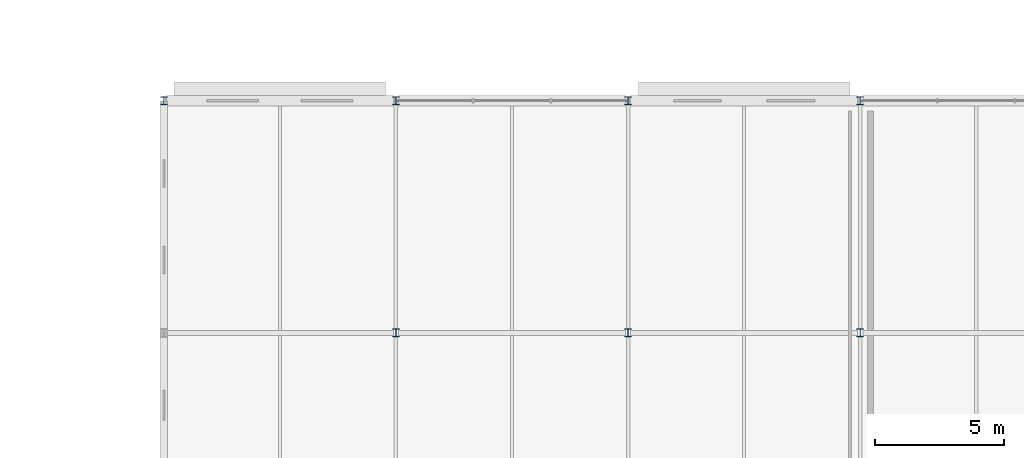
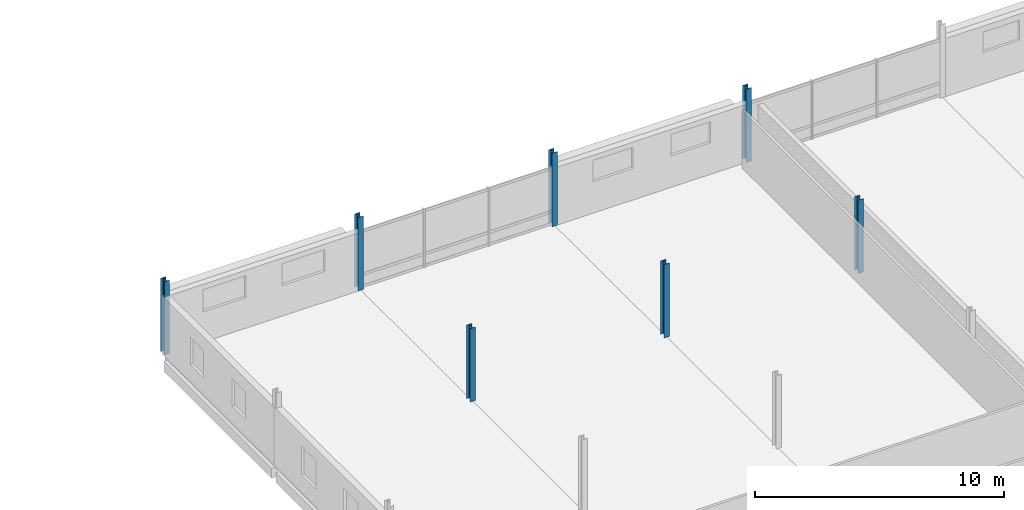
# One storey, part 27 of 132: 7 columns.
"""IFC4 building model written with IfcOpenShell, lengths in metres."""

import ifcopenshell
import ifcopenshell.guid

model = None  # the IFC model being written
_history = None  # IfcOwnerHistory: only IFC2X3 demands one
_inside = {}  # id of a spatial element -> (the spatial element, [elements in it])
_under = {}  # id of a project, library or spatial element -> (it, [spatial elements below it])
_declared = {}  # id of a project -> (the project, [libraries it declares])
_typed = {}  # id of a type object -> (the type object, [elements of that type])
_made_of = {}  # id of a material, layer set ... -> (it, [elements and type objects made of it])


def new_model(schema):
    """Start an empty IFC model of exactly this schema.

    Asked for "IFC4X3", IfcOpenShell would pick the latest addendum, in which some entities
    have other attributes; the version numbers below select the first issue.
    IFC2X3 requires an IfcOwnerHistory on every rooted entity: one is made here for all.
    """
    global model, _history
    if schema == "IFC4X3":
        model = ifcopenshell.file(schema_version=(4, 3, 0, 0))
    else:
        model = ifcopenshell.file(schema=schema)
    _inside.clear()
    _under.clear()
    _declared.clear()
    _typed.clear()
    _made_of.clear()
    _history = None
    if model.schema == "IFC2X3":
        org = make("IfcOrganization", Name="unknown")
        user = make(
            "IfcPersonAndOrganization",
            ThePerson=make("IfcPerson", FamilyName="unknown"),
            TheOrganization=org,
        )
        app = make(
            "IfcApplication",
            ApplicationDeveloper=org,
            Version="unknown",
            ApplicationFullName="unknown",
            ApplicationIdentifier="unknown",
        )
        _history = make(
            "IfcOwnerHistory",
            OwningUser=user,
            OwningApplication=app,
            ChangeAction="ADDED",
            CreationDate=0,
        )
    return model


def make(cls, **values):
    """One entity of the class cls with the attributes given. An attribute that is None is left unset."""
    return model.create_entity(
        cls, **{name: value for name, value in values.items() if value is not None}
    )


def rooted(cls, **values):
    """An entity with a GlobalId (a new one), such as an element, a storey or a relation."""
    return make(cls, GlobalId=ifcopenshell.guid.new(), OwnerHistory=_history, **values)


def si_unit(unit_type, name, prefix=None):
    """IfcSIUnit, for example si_unit("LENGTHUNIT", "METRE", prefix="MILLI")."""
    return make("IfcSIUnit", UnitType=unit_type, Prefix=prefix, Name=name)


def assignment(units):
    """IfcUnitAssignment: the units of a project."""
    return None if units is None else make("IfcUnitAssignment", Units=units)


def point(xyz):
    """IfcCartesianPoint."""
    return None if xyz is None else make("IfcCartesianPoint", Coordinates=xyz)


def direction(xyz):
    """IfcDirection."""
    return None if xyz is None else make("IfcDirection", DirectionRatios=xyz)


def frame(location, z_axis=None, x_axis=None):
    """IfcAxis2Placement3D, a coordinate frame: its origin and axes. An axis left out is left unset."""
    return make(
        "IfcAxis2Placement3D",
        Location=point(location),
        Axis=direction(z_axis),
        RefDirection=direction(x_axis),
    )


def frame_2d(location, x_axis=None):
    """IfcAxis2Placement2D, a coordinate frame in the plane: its origin and x axis."""
    return make(
        "IfcAxis2Placement2D", Location=point(location), RefDirection=direction(x_axis)
    )


def origin():
    """The frame at (0, 0, 0) with its axes left unset."""
    return frame((0.0, 0.0, 0.0))


def origin_2d():
    """The frame at (0, 0) in the plane with its x axis left unset."""
    return frame_2d((0.0, 0.0))


def place(relative_to, where):
    """IfcLocalPlacement: puts the frame where relative to a parent placement (None: the world)."""
    return make(
        "IfcLocalPlacement", PlacementRelTo=relative_to, RelativePlacement=where
    )


def context(
    kind, dimensions, precision=None, world=None, true_north=None, identifier=None
):
    """IfcGeometricRepresentationContext, for example the 3D "Model" context."""
    return make(
        "IfcGeometricRepresentationContext",
        ContextIdentifier=identifier,
        ContextType=kind,
        CoordinateSpaceDimension=dimensions,
        Precision=precision,
        WorldCoordinateSystem=world,
        TrueNorth=true_north,
    )


def subcontext(parent, identifier, kind, view, scale=None):
    """IfcGeometricRepresentationSubContext, for example "Body" below "Model"."""
    return make(
        "IfcGeometricRepresentationSubContext",
        ContextIdentifier=identifier,
        ContextType=kind,
        ParentContext=parent,
        TargetScale=scale,
        TargetView=view,
    )


def project(units=None, contexts=None):
    """IfcProject with its units and contexts."""
    return rooted(
        "IfcProject",
        Name="project",
        RepresentationContexts=contexts,
        UnitsInContext=assignment(units),
    )


def spatial(cls, under=None, at=None, **own):
    """A site, building, storey or space (cls), placed at a placement, below another one or the project."""
    s = rooted(cls, ObjectPlacement=at, **own)
    if under is not None:
        _under.setdefault(under.id(), (under, []))[1].append(s)
    return s


def profile(cls, at=None, kind="AREA", **sizes):
    """A parametric profile (cls). Its sizes go by their IFC names, for example OverallWidth=200.0."""
    return make(cls, ProfileType=kind, Position=at, **sizes)


def i_section(**sizes):
    """IfcIShapeProfileDef."""
    return profile("IfcIShapeProfileDef", **sizes)


def extrude(swept, where, along, depth):
    """IfcExtrudedAreaSolid: the profile swept, set in the frame where, extruded along a direction by depth."""
    return make(
        "IfcExtrudedAreaSolid",
        SweptArea=swept,
        Position=where,
        ExtrudedDirection=direction(along),
        Depth=depth,
    )


def shape(context_of_items, identifier, shape_type, items):
    """IfcShapeRepresentation: the items that make up one representation, for example the "Body"."""
    return make(
        "IfcShapeRepresentation",
        ContextOfItems=context_of_items,
        RepresentationIdentifier=identifier,
        RepresentationType=shape_type,
        Items=items,
    )


def material(Name=None, Category=None):
    """IfcMaterial."""
    return make("IfcMaterial", Name=Name, Category=Category)


def material_profile(
    of_material, cross_section, Name=None, Category=None, Priority=None
):
    """IfcMaterialProfile: a cross section and its material."""
    return make(
        "IfcMaterialProfile",
        Name=Name,
        Material=of_material,
        Profile=cross_section,
        Priority=Priority,
        Category=Category,
    )


def profile_set(profiles, Name=None, composite=None):
    """IfcMaterialProfileSet."""
    return make(
        "IfcMaterialProfileSet",
        Name=Name,
        MaterialProfiles=profiles,
        CompositeProfile=composite,
    )


def made_of(thing, what):
    """Note that an element or type object is made of a material, layer set ...; save() writes the relation."""
    if what is not None:
        _made_of.setdefault(what.id(), (what, []))[1].append(thing)
    return thing


def type_object(cls, material=None, **own):
    """A type object (cls), such as IfcWallType, which elements share."""
    return made_of(rooted(cls, **own), material)


def element(
    cls,
    number,
    at=None,
    inside=None,
    cuts=None,
    type_object=None,
    material=None,
    context=None,
    identifier="Body",
    shape_type=None,
    held_by="IfcProductDefinitionShape",
    body=None,
    shapes=None,
    **own,
):
    """One element of the class cls, such as IfcWall. Its Tag is "e" and its number.

    at: its placement. inside: the storey or other place that contains it. cuts: it is an
    opening in that element (IfcRelVoidsElement). A single representation is given by context,
    identifier, shape_type and body (its items); several are given by shapes. held_by: the class
    of the entity that holds the representations. save() writes the other relations.
    """
    e = rooted(cls, Tag="e%d" % number, ObjectPlacement=at, **own)
    if body is not None:
        shapes = [shape(context, identifier, shape_type, body)]
    if shapes is not None:
        e.Representation = make(held_by, Representations=shapes)
    if inside is not None:
        _inside.setdefault(inside.id(), (inside, []))[1].append(e)
    if cuts is not None:
        rooted(
            "IfcRelVoidsElement", RelatingBuildingElement=cuts, RelatedOpeningElement=e
        )
    if type_object is not None:
        _typed.setdefault(type_object.id(), (type_object, []))[1].append(e)
    return made_of(e, material)


def aggregate(whole, parts):
    """IfcRelAggregates: a whole, such as a stair, and the parts it consists of."""
    return rooted("IfcRelAggregates", RelatingObject=whole, RelatedObjects=parts)


def save(model, path):
    """Write the relations noted so far, then the file.

    IfcRelAggregates (storeys below a building ...), IfcRelContainedInSpatialStructure (elements
    in a storey), IfcRelDefinesByType, IfcRelAssociatesMaterial and IfcRelDeclares: one each for
    every whole, place, type object, material and project.
    """
    for whole, parts in _under.values():
        aggregate(whole, parts)
    for where, things in _inside.values():
        rooted(
            "IfcRelContainedInSpatialStructure",
            RelatedElements=things,
            RelatingStructure=where,
        )
    for kind, things in _typed.values():
        rooted("IfcRelDefinesByType", RelatedObjects=things, RelatingType=kind)
    for what, things in _made_of.values():
        rooted("IfcRelAssociatesMaterial", RelatedObjects=things, RelatingMaterial=what)
    for by, libraries in _declared.values():
        rooted("IfcRelDeclares", RelatingContext=by, RelatedDefinitions=libraries)
    model.write(path)


model = new_model("IFC4")

# Units and contexts
model_context = context("Model", 3, precision=1e-05, world=origin(), true_north=direction((0.0, 1.0)))
body_context = subcontext(model_context, "Body", "Model", "MODEL_VIEW")
ifc_project = project(units=[si_unit("LENGTHUNIT", "METRE"), si_unit("AREAUNIT", "SQUARE_METRE"), si_unit("VOLUMEUNIT", "CUBIC_METRE"), si_unit("PLANEANGLEUNIT", "RADIAN"), si_unit("MASSUNIT", "GRAM", prefix="KILO")], contexts=[model_context])

# Site, building, storey
site_placement = place(None, origin())
site = spatial("IfcSite", under=ifc_project, at=site_placement, CompositionType="ELEMENT")
building_placement = place(site_placement, origin())
building = spatial("IfcBuilding", under=site, at=building_placement, Name="Tharagai Park Tramway Depot", CompositionType="ELEMENT")
storey_placement = place(building_placement, frame((0.0, 0.0, 4.800048828125)))
storey = spatial("IfcBuildingStorey", under=building, at=storey_placement, Name="L01", CompositionType="ELEMENT", Elevation=4.800048828125)

# Columns
ifc_material = material(Name="Steel E350", Category="steel")
ifc_material_profile = material_profile(ifc_material, i_section(OverallWidth=0.25, OverallDepth=0.300048828125, WebThickness=0.009521484375, FlangeThickness=0.010498046875, FilletRadius=0.011962890625, at=origin_2d()), Name="ISHB 300")
ifc_profile_set = profile_set([ifc_material_profile], Name="Steel E350")
column_type = type_object("IfcColumnType", Name="CL-08", PredefinedType="COLUMN", material=ifc_profile_set)
for number, where, z_axis, x_axis, name in (
    (1, (162.0, 135.0, 0.0), (0.0, 0.0, 1.0), (1.0, 0.0, 0.0), "L01 Structural Column CL-08 (162,135)"),
    (2, (171.0, 126.0, 0.0), (0.0, 0.0, 1.0), (1.0, 0.0, 0.0), "L01 Structural Column CL-08 (171,126)"),
    (3, (171.0, 135.0, 0.0), (0.0, 0.0, 1.0), (1.0, 0.0, 0.0), "L01 Structural Column CL-08 (171,135)"),
    (4, (180.0, 126.0, 0.0), (0.0, 0.0, 1.0), (1.0, 0.0, 0.0), "L01 Structural Column CL-08 (180,126)"),
    (5, (180.0, 135.0, 0.0), (0.0, 0.0, 1.0), (1.0, 0.0, 0.0), "L01 Structural Column CL-08 (180,135)"),
    (6, (189.0, 126.0, 0.0), (0.0, 0.0, 1.0), (1.0, 0.0, 0.0), "L01 Structural Column CL-08 (189,126)"),
    (7, (189.0, 135.0, 0.0), (0.0, 0.0, 1.0), (1.0, 0.0, 0.0), "L01 Structural Column CL-08 (189,135)"),
):
    element("IfcColumn", number, at=place(storey_placement, frame(where, z_axis=z_axis, x_axis=x_axis)), inside=storey, type_object=column_type, Name=name, PredefinedType="COLUMN", context=body_context, shape_type="SweptSolid", body=[
        extrude(i_section(OverallWidth=0.25, OverallDepth=0.300048828125, WebThickness=0.009521484375, FlangeThickness=0.010498046875, FilletRadius=0.011962890625, at=origin_2d()), origin(), (0.0, 0.0, 1.0), 3.599853515625),
    ])

save(model, "model.ifc")
